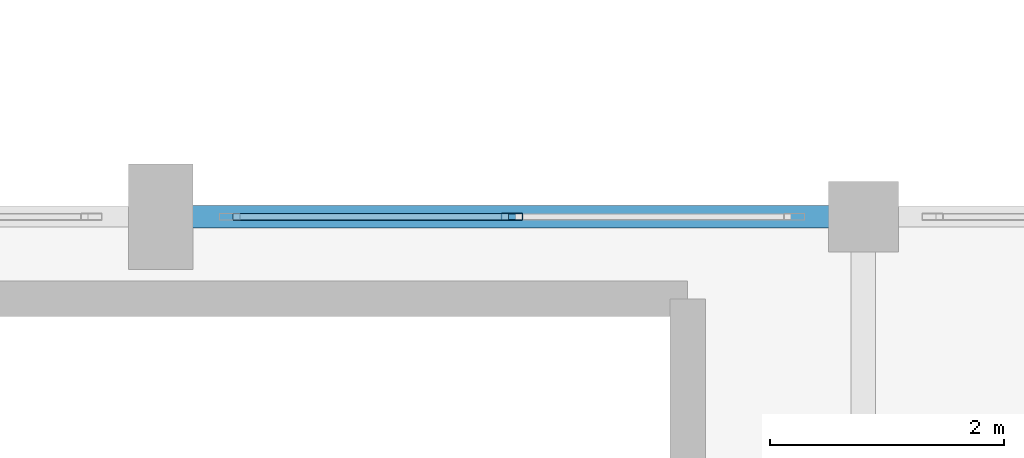
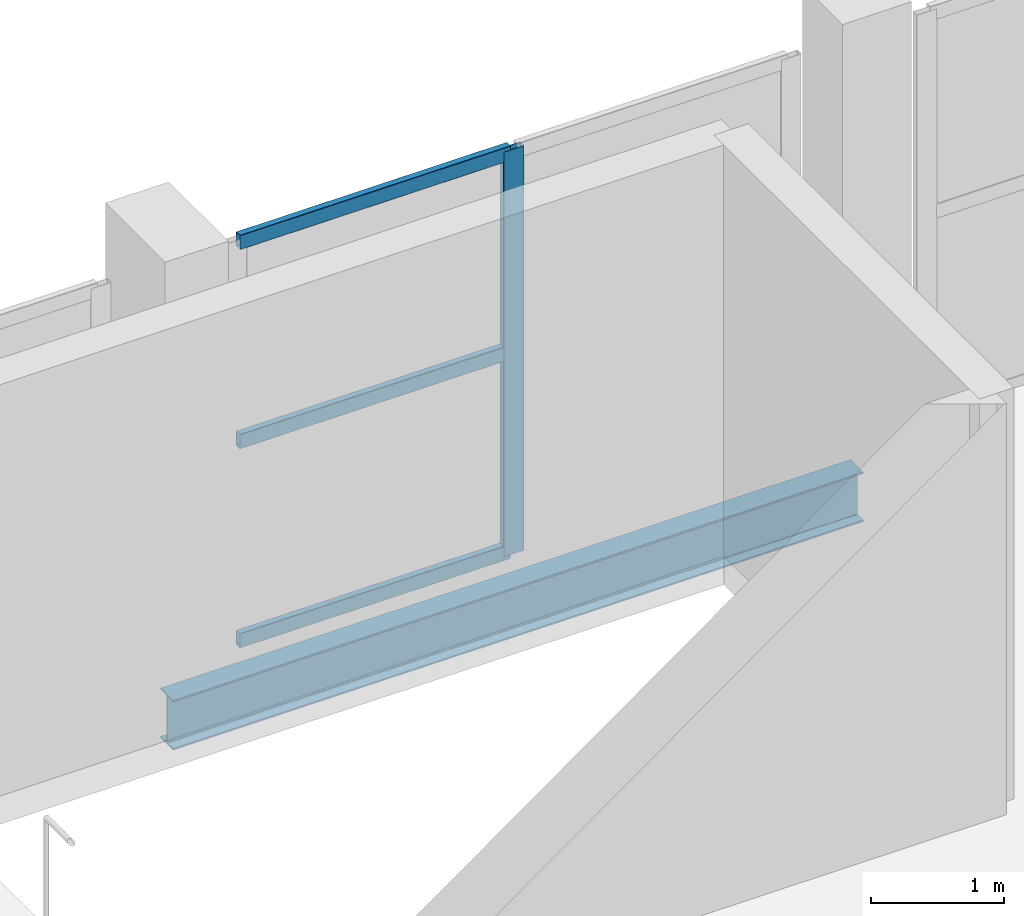
# One storey, part 85 of 127: 4 members, 1 beam, 1 element without a shape of its own.
"""IFC4 building model written with IfcOpenShell, lengths in metres."""

from ifc_helpers import new_model, si_unit, direction, frame, origin, origin_2d, place, context, subcontext, project, spatial, hollow_rectangle, i_section, extrude, material, layer, layer_set, material_profile, profile_set, type_object, element, aggregate, save


model = new_model("IFC4")

# Units and contexts
model_context = context("Model", 3, precision=1e-05, world=origin(), true_north=direction((0.0, 1.0)))
body_context = subcontext(model_context, "Body", "Model", "MODEL_VIEW")
ifc_project = project(units=[si_unit("LENGTHUNIT", "METRE"), si_unit("AREAUNIT", "SQUARE_METRE"), si_unit("VOLUMEUNIT", "CUBIC_METRE"), si_unit("PLANEANGLEUNIT", "RADIAN"), si_unit("MASSUNIT", "GRAM", prefix="KILO")], contexts=[model_context])

# Site, building, storey
site_placement = place(None, origin())
site = spatial("IfcSite", under=ifc_project, at=site_placement, CompositionType="ELEMENT")
building_placement = place(site_placement, origin())
building = spatial("IfcBuilding", under=site, at=building_placement, Name="Dunvalen Ferry Terminal", CompositionType="ELEMENT")
storey_placement = place(building_placement, frame((0.0, 0.0, 5.760009765625)))
storey = spatial("IfcBuildingStorey", under=building, at=storey_placement, Name="L01", CompositionType="ELEMENT", Elevation=5.760009765625)

# Curtain wall, members
ifc_material_1 = material(Name="Anodised marine aluminium and solar-control glazing", Category="aluminium")
ifc_layer = layer(ifc_material_1, 0.219970703125, Name="Anodised marine aluminium and solar-control glazing")
ifc_layer_set = layer_set([ifc_layer], Name="Anodised marine aluminium and solar-control glazing")
curtain_wall_type = type_object("IfcCurtainWallType", Name="ENV-CW-SYS-02", PredefinedType="NOTDEFINED", material=ifc_layer_set)
curtain_wall_placement = place(storey_placement, origin())
curtain_wall = element("IfcCurtainWall", 1, at=curtain_wall_placement, inside=storey, type_object=curtain_wall_type, Name="L01 Curtain Wall CW-V2N-L01-09", PredefinedType="NOTDEFINED")
ifc_material_2 = material(Name="Anodised marine aluminium EN AW-6063 T6", Category="aluminium")
ifc_material_profile_1 = material_profile(ifc_material_2, hollow_rectangle(XDim=0.06005859375, YDim=0.179931640625, WallThickness=0.00341796875, InnerFilletRadius=0.00341796875, OuterFilletRadius=0.007080078125, at=origin_2d()), Name="Anodised marine aluminium EN AW-6063 T6")
ifc_profile_set_1 = profile_set([ifc_material_profile_1], Name="Anodised marine aluminium EN AW-6063 T6")
member_type_1 = type_object("IfcMemberType", Name="ENV-CW-MUL-2", PredefinedType="MULLION", material=ifc_profile_set_1)
member_1_placement = place(storey_placement, frame((159.0, 86.39990234375, 0.0), z_axis=(0.0, 0.0, 1.0), x_axis=(0.0, 1.0, 0.0)))
member_1 = element("IfcMember", 2, at=member_1_placement, type_object=member_type_1, Name="CW-02 mullion 2", PredefinedType="MULLION", context=body_context, shape_type="SweptSolid", body=[
    extrude(hollow_rectangle(XDim=0.06005859375, YDim=0.179931640625, WallThickness=0.00341796875, InnerFilletRadius=0.00341796875, OuterFilletRadius=0.007080078125, at=origin_2d()), origin(), (0.0, 0.0, 1.0), 3.719970703125),
])
ifc_material_profile_2 = material_profile(ifc_material_2, hollow_rectangle(XDim=0.06005859375, YDim=0.135009765625, WallThickness=0.003173828125, InnerFilletRadius=0.003173828125, OuterFilletRadius=0.00634765625, at=origin_2d()), Name="Anodised marine aluminium EN AW-6063 T6")
ifc_profile_set_2 = profile_set([ifc_material_profile_2], Name="Anodised marine aluminium EN AW-6063 T6")
member_type_2 = type_object("IfcMemberType", Name="ENV-CW-TRN-2", PredefinedType="USERDEFINED", material=ifc_profile_set_2)
member_2_placement = place(storey_placement, frame((156.6201171875, 86.39990234375, 0.030029296875), z_axis=(1.0, 0.0, 0.0), x_axis=(0.0, 1.0, 0.0)))
member_2 = element("IfcMember", 3, at=member_2_placement, type_object=member_type_2, Name="CW-02 transom 1.1", ObjectType="TRANSOM", PredefinedType="USERDEFINED", context=body_context, shape_type="SweptSolid", body=[
    extrude(hollow_rectangle(XDim=0.06005859375, YDim=0.135009765625, WallThickness=0.003173828125, InnerFilletRadius=0.003173828125, OuterFilletRadius=0.00634765625, at=origin_2d()), origin(), (0.0, 0.0, 1.0), 2.349853515625),
])
member_3_placement = place(storey_placement, frame((156.6201171875, 86.39990234375, 1.860107421875), z_axis=(1.0, 0.0, 0.0), x_axis=(0.0, 1.0, 0.0)))
member_3 = element("IfcMember", 4, at=member_3_placement, type_object=member_type_2, Name="CW-02 transom 1.2", ObjectType="TRANSOM", PredefinedType="USERDEFINED", context=body_context, shape_type="SweptSolid", body=[
    extrude(hollow_rectangle(XDim=0.06005859375, YDim=0.135009765625, WallThickness=0.003173828125, InnerFilletRadius=0.003173828125, OuterFilletRadius=0.00634765625, at=origin_2d()), origin(), (0.0, 0.0, 1.0), 2.349853515625),
])
member_4_placement = place(storey_placement, frame((156.6201171875, 86.39990234375, 3.68994140625), z_axis=(1.0, 0.0, 0.0), x_axis=(0.0, 1.0, 0.0)))
member_4 = element("IfcMember", 5, at=member_4_placement, type_object=member_type_2, Name="CW-02 transom 1.3", ObjectType="TRANSOM", PredefinedType="USERDEFINED", context=body_context, shape_type="SweptSolid", body=[
    extrude(hollow_rectangle(XDim=0.06005859375, YDim=0.135009765625, WallThickness=0.003173828125, InnerFilletRadius=0.003173828125, OuterFilletRadius=0.00634765625, at=origin_2d()), origin(), (0.0, 0.0, 1.0), 2.349853515625),
])
aggregate(curtain_wall, [member_1, member_2, member_3, member_4])

# Beam
ifc_material_3 = material(Name="Steel S355", Category="steel")
ifc_material_profile_3 = material_profile(ifc_material_3, i_section(OverallWidth=0.1904296875, OverallDepth=0.45703125, WebThickness=0.009033203125, FlangeThickness=0.014404296875, FilletRadius=0.01025390625, at=origin_2d()), Name="Steel S355")
ifc_profile_set_3 = profile_set([ifc_material_profile_3], Name="Steel S355")
beam_type = type_object("IfcBeamType", Name="STR-BM-UKB457", PredefinedType="BEAM", material=ifc_profile_set_3)
beam_placement = place(storey_placement, frame((156.0, 86.39990234375, -0.488525390625), z_axis=(1.0, 0.0, 0.0), x_axis=(0.0, 1.0, 0.0)))
element("IfcBeam", 6, at=beam_placement, inside=storey, type_object=beam_type, Name="L01 V2M Primary Beam X-042", PredefinedType="BEAM", context=body_context, shape_type="SweptSolid", body=[
    extrude(i_section(OverallWidth=0.1904296875, OverallDepth=0.45703125, WebThickness=0.009033203125, FlangeThickness=0.014404296875, FilletRadius=0.01025390625, at=origin_2d()), origin(), (0.0, 0.0, 1.0), 6.0),
])

save(model, "model.ifc")
